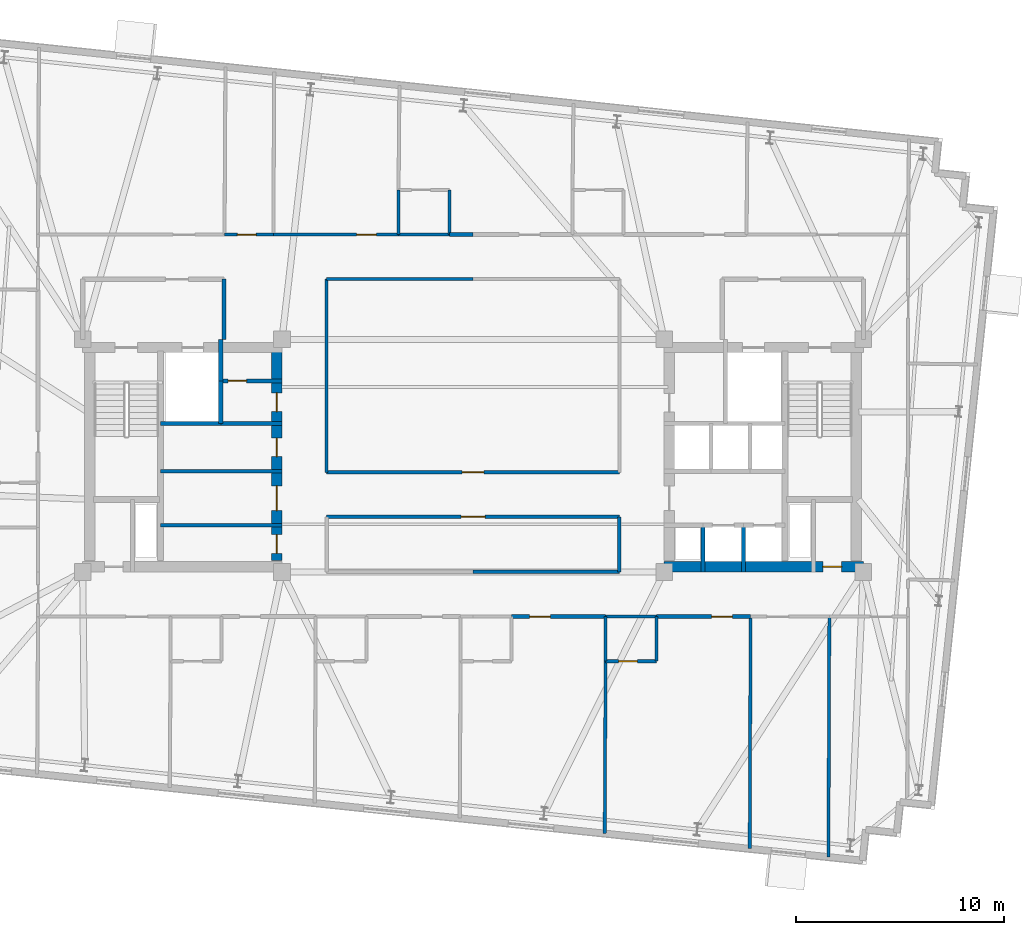
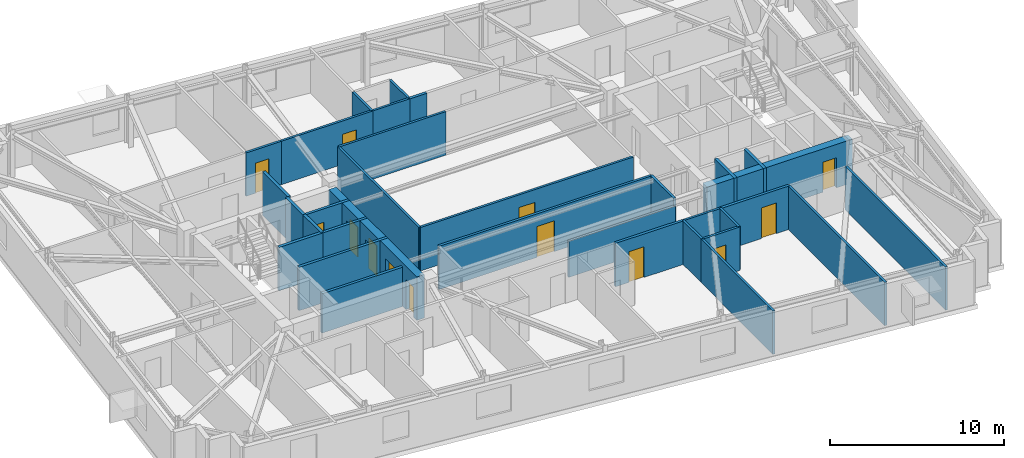
# One storey, part 7 of 11: 33 walls, 13 doors, 13 openings.
"""IFC4 building model written with IfcOpenShell, lengths in metres."""

from ifc_helpers import new_model, si_unit, direction, frame, frame_2d, origin, place, context, subcontext, project, spatial, rectangle, extrude, material, layer, layer_set, type_object, element, fill, save


model = new_model("IFC4")

# Units and contexts
model_context = context("Model", 3, precision=1e-05, world=origin(), true_north=direction((0.0, 1.0)))
body_context = subcontext(model_context, "Body", "Model", "MODEL_VIEW")
ifc_project = project(units=[si_unit("LENGTHUNIT", "METRE"), si_unit("AREAUNIT", "SQUARE_METRE"), si_unit("VOLUMEUNIT", "CUBIC_METRE"), si_unit("PLANEANGLEUNIT", "RADIAN"), si_unit("MASSUNIT", "GRAM", prefix="KILO")], contexts=[model_context])

# Site, building, storey
site_placement = place(None, origin())
site = spatial("IfcSite", under=ifc_project, at=site_placement, CompositionType="ELEMENT")
building_placement = place(site_placement, origin())
building = spatial("IfcBuilding", under=site, at=building_placement, Name="Qobustan Lattice House", CompositionType="ELEMENT")
storey_placement = place(building_placement, frame((0.0, 0.0, 209.800048828125)))
storey = spatial("IfcBuildingStorey", under=building, at=storey_placement, Name="L59", CompositionType="ELEMENT", Elevation=209.800048828125)

# Wall, openings, doors
ifc_material_1 = material(Name="Concrete C50/60", Category="concrete")
ifc_layer_1 = layer(ifc_material_1, 0.5)
ifc_layer_set_1 = layer_set([ifc_layer_1], Name="Concrete C50/60")
wall_type_1 = type_object("IfcWallType", Name="WAL-CORE-500", PredefinedType="SHEAR", material=ifc_layer_set_1)
wall_1_placement = place(storey_placement, frame((-9.449951171875, -5.050048828125, 0.0), z_axis=(0.0, 0.0, 1.0), x_axis=(0.0, 1.0, 0.0)))
wall_1 = element("IfcWall", 1, at=wall_1_placement, inside=storey, type_object=wall_type_1, Name="L59 split-core shear wall CW-E", PredefinedType="SHEAR", context=body_context, shape_type="SweptSolid", body=[
    extrude(rectangle(XDim=10.10009765625, YDim=0.5, at=frame_2d((5.050048828125, 0.0))), origin(), (0.0, 0.0, 1.0), 3.0400390625),
])
opening_1_placement = place(wall_1_placement, frame((7.175048828125, 0.0, 0.0)))
opening_1 = element("IfcOpeningElement", 2, at=opening_1_placement, cuts=wall_1, Name="Opening RD-01", PredefinedType="OPENING", context=body_context, shape_type="SweptSolid", body=[
    extrude(rectangle(XDim=0.89990234375, YDim=2.10009765625, at=frame_2d((0.449951171875, 1.050048828125))), frame((0.0, 0.260009765625, 0.0), z_axis=(0.0, -1.0, 0.0), x_axis=(1.0, 0.0, 0.0)), (0.0, 0.0, 1.0), 0.52001953125),
])
opening_2_placement = place(wall_1_placement, frame((2.39990234375, 0.0, 0.0)))
opening_2 = element("IfcOpeningElement", 3, at=opening_2_placement, cuts=wall_1, Name="Opening FD-01", PredefinedType="OPENING", context=body_context, shape_type="SweptSolid", body=[
    extrude(rectangle(XDim=1.199951171875, YDim=2.14990234375, at=frame_2d((0.60009765625, 1.074951171875))), frame((0.0, 0.260009765625, 0.0), z_axis=(0.0, -1.0, 0.0), x_axis=(1.0, 0.0, 0.0)), (0.0, 0.0, 1.0), 0.52001953125),
])
opening_3_placement = place(wall_1_placement, frame((0.35009765625, 0.0, 0.0)))
opening_3 = element("IfcOpeningElement", 4, at=opening_3_placement, cuts=wall_1, Name="Opening RD-01", PredefinedType="OPENING", context=body_context, shape_type="SweptSolid", body=[
    extrude(rectangle(XDim=0.89990234375, YDim=2.10009765625, at=frame_2d((0.449951171875, 1.050048828125))), frame((0.0, 0.260009765625, 0.0), z_axis=(0.0, -1.0, 0.0), x_axis=(1.0, 0.0, 0.0)), (0.0, 0.0, 1.0), 0.52001953125),
])
opening_4_placement = place(wall_1_placement, frame((5.0, 0.0, 0.0)))
opening_4 = element("IfcOpeningElement", 5, at=opening_4_placement, cuts=wall_1, Name="Opening RD-01", PredefinedType="OPENING", context=body_context, shape_type="SweptSolid", body=[
    extrude(rectangle(XDim=0.89990234375, YDim=2.10009765625, at=frame_2d((0.449951171875, 1.050048828125))), frame((0.0, 0.260009765625, 0.0), z_axis=(0.0, -1.0, 0.0), x_axis=(1.0, 0.0, 0.0)), (0.0, 0.0, 1.0), 0.52001953125),
])
ifc_material_2 = material(Name="Persian walnut timber and steel frame door", Category="steel")
door_type_1 = type_object("IfcDoorType", Name="DOR-LOBBY-FD-1200x2150", OperationType="NOTDEFINED", PredefinedType="DOOR", material=ifc_material_2)
door_1_placement = place(opening_2_placement, origin())
door_1 = element("IfcDoor", 6, at=door_1_placement, inside=storey, type_object=door_type_1, Name="L59 West core foyer fire door", OperationType="SINGLE_SWING_LEFT", OverallHeight=2.14990234375, OverallWidth=1.199951171875, PredefinedType="DOOR", context=body_context, shape_type="SweptSolid", body=[
    extrude(rectangle(XDim=1.199951171875, YDim=2.14990234375, at=frame_2d((0.60009765625, 1.074951171875))), frame((0.0, 0.02490234375, 0.0), z_axis=(0.0, -1.0, 0.0), x_axis=(1.0, 0.0, 0.0)), (0.0, 0.0, 1.0), 0.050048828125),
])
fill(opening_2, door_1)
ifc_material_3 = material(Name="Persian walnut timber and steel frame door", Category="steel")
door_type_2 = type_object("IfcDoorType", Name="DOR-RISER-FD-900x2100", OperationType="NOTDEFINED", PredefinedType="DOOR", material=ifc_material_3)
door_2_placement = place(opening_1_placement, origin())
door_2 = element("IfcDoor", 7, at=door_2_placement, inside=storey, type_object=door_type_2, Name="L59 Core utility lobby fire door", OperationType="SINGLE_SWING_RIGHT", OverallHeight=2.10009765625, OverallWidth=0.89990234375, PredefinedType="DOOR", context=body_context, shape_type="SweptSolid", body=[
    extrude(rectangle(XDim=0.89990234375, YDim=2.10009765625, at=frame_2d((0.449951171875, 1.050048828125))), frame((0.0, 0.02490234375, 0.0), z_axis=(0.0, -1.0, 0.0), x_axis=(1.0, 0.0, 0.0)), (0.0, 0.0, 1.0), 0.050048828125),
])
fill(opening_1, door_2)
door_3_placement = place(opening_3_placement, origin())
door_3 = element("IfcDoor", 8, at=door_3_placement, inside=storey, type_object=door_type_2, Name="L59 Quiet study alcove fire door", OperationType="SINGLE_SWING_RIGHT", OverallHeight=2.10009765625, OverallWidth=0.89990234375, PredefinedType="DOOR", context=body_context, shape_type="SweptSolid", body=[
    extrude(rectangle(XDim=0.89990234375, YDim=2.10009765625, at=frame_2d((0.449951171875, 1.050048828125))), frame((0.0, 0.02490234375, 0.0), z_axis=(0.0, -1.0, 0.0), x_axis=(1.0, 0.0, 0.0)), (0.0, 0.0, 1.0), 0.050048828125),
])
fill(opening_3, door_3)
door_4_placement = place(opening_4_placement, origin())
door_4 = element("IfcDoor", 9, at=door_4_placement, inside=storey, type_object=door_type_2, Name="L59 Resident reading pod fire door", OperationType="SINGLE_SWING_LEFT", OverallHeight=2.10009765625, OverallWidth=0.89990234375, PredefinedType="DOOR", context=body_context, shape_type="SweptSolid", body=[
    extrude(rectangle(XDim=0.89990234375, YDim=2.10009765625, at=frame_2d((0.449951171875, 1.050048828125))), frame((0.0, 0.02490234375, 0.0), z_axis=(0.0, -1.0, 0.0), x_axis=(1.0, 0.0, 0.0)), (0.0, 0.0, 1.0), 0.050048828125),
])
fill(opening_4, door_4)

# Wall, opening, door
wall_2_placement = place(storey_placement, frame((9.199951171875, -5.35009765625, 0.0), z_axis=(0.0, 0.0, 1.0), x_axis=(1.0, 0.0, 0.0)))
wall_2 = element("IfcWall", 10, at=wall_2_placement, inside=storey, type_object=wall_type_1, Name="L59 split-core shear wall CE-S", PredefinedType="SHEAR", context=body_context, shape_type="SweptSolid", body=[
    extrude(rectangle(XDim=9.60009765625, YDim=0.5, at=frame_2d((4.800048828125, 0.0))), origin(), (0.0, 0.0, 1.0), 3.0400390625),
])
opening_5_placement = place(wall_2_placement, frame((7.64990234375, 0.0, 0.0)))
opening_5 = element("IfcOpeningElement", 11, at=opening_5_placement, cuts=wall_2, Name="Opening RD-01", PredefinedType="OPENING", context=body_context, shape_type="SweptSolid", body=[
    extrude(rectangle(XDim=0.89990234375, YDim=2.10009765625, at=frame_2d((0.449951171875, 1.050048828125))), frame((0.0, 0.260009765625, 0.0), z_axis=(0.0, -1.0, 0.0), x_axis=(1.0, 0.0, 0.0)), (0.0, 0.0, 1.0), 0.52001953125),
])
door_5_placement = place(opening_5_placement, origin())
door_5 = element("IfcDoor", 12, at=door_5_placement, inside=storey, type_object=door_type_2, Name="L59 core service riser access door E", OperationType="SINGLE_SWING_LEFT", OverallHeight=2.10009765625, OverallWidth=0.89990234375, PredefinedType="DOOR", context=body_context, shape_type="SweptSolid", body=[
    extrude(rectangle(XDim=0.89990234375, YDim=2.10009765625, at=frame_2d((0.449951171875, 1.050048828125))), frame((0.0, 0.02490234375, 0.0), z_axis=(0.0, -1.0, 0.0), x_axis=(1.0, 0.0, 0.0)), (0.0, 0.0, 1.0), 0.050048828125),
])
fill(opening_5, door_5)

ifc_material_4 = material(Name="Gypsum fireboard acoustic partition", Category="gypsum")
ifc_layer_2 = layer(ifc_material_4, 0.179931640625)
ifc_layer_set_2 = layer_set([ifc_layer_2], Name="Gypsum fireboard acoustic partition")
wall_type_2 = type_object("IfcWallType", Name="WAL-FIRE-180", PredefinedType="PARTITIONING", material=ifc_layer_set_2)
wall_3_placement = place(storey_placement, frame((-9.199951171875, 3.60009765625, 0.0), z_axis=(0.0, 0.0, 1.0), x_axis=(-1.0, 0.0, 0.0)))
wall_3 = element("IfcWall", 13, at=wall_3_placement, inside=storey, type_object=wall_type_2, Name="L59 interior partition 7", PredefinedType="PARTITIONING", context=body_context, shape_type="SweptSolid", body=[
    extrude(rectangle(XDim=2.949951171875, YDim=0.179931640625, at=frame_2d((1.47509765625, 0.0))), origin(), (0.0, 0.0, 1.0), 3.0400390625),
])
opening_6_placement = place(wall_3_placement, frame((1.699951171875, 0.0, 0.0)))
opening_6 = element("IfcOpeningElement", 14, at=opening_6_placement, cuts=wall_3, Name="Opening RD-01", PredefinedType="OPENING", context=body_context, shape_type="SweptSolid", body=[
    extrude(rectangle(XDim=0.89990234375, YDim=2.10009765625, at=frame_2d((0.449951171875, 1.050048828125))), frame((0.0, 0.099853515625, 0.0), z_axis=(0.0, -1.0, 0.0), x_axis=(1.0, 0.0, 0.0)), (0.0, 0.0, 1.0), 0.199951171875),
])
door_6_placement = place(opening_6_placement, origin())
door_6 = element("IfcDoor", 15, at=door_6_placement, inside=storey, type_object=door_type_2, Name="L59 Core utility lobby to Cleaner store door", OperationType="SINGLE_SWING_LEFT", OverallHeight=2.10009765625, OverallWidth=0.89990234375, PredefinedType="DOOR", context=body_context, shape_type="SweptSolid", body=[
    extrude(rectangle(XDim=0.89990234375, YDim=2.10009765625, at=frame_2d((0.449951171875, 1.050048828125))), frame((0.0, 0.02490234375, 0.0), z_axis=(0.0, -1.0, 0.0), x_axis=(1.0, 0.0, 0.0)), (0.0, 0.0, 1.0), 0.050048828125),
])
fill(opening_6, door_6)

# Walls
wall_4_placement = place(storey_placement, frame((-12.14990234375, 1.550048828125, 0.0), z_axis=(0.0, 0.0, 1.0), x_axis=(1.0, 0.0, 0.0)))
element("IfcWall", 16, at=wall_4_placement, inside=storey, type_object=wall_type_2, Name="L59 interior partition 8", PredefinedType="PARTITIONING", context=body_context, shape_type="SweptSolid", body=[
    extrude(rectangle(XDim=2.949951171875, YDim=0.179931640625, at=frame_2d((1.47509765625, 0.0))), origin(), (0.0, 0.0, 1.0), 3.0400390625),
])
wall_5_placement = place(storey_placement, frame((-15.050048828125, -3.35009765625, 0.0), z_axis=(0.0, 0.0, 1.0), x_axis=(1.0, 0.0, 0.0)))
element("IfcWall", 17, at=wall_5_placement, inside=storey, type_object=wall_type_2, Name="L59 interior partition 10", PredefinedType="PARTITIONING", context=body_context, shape_type="SweptSolid", body=[
    extrude(rectangle(XDim=5.85009765625, YDim=0.179931640625, at=frame_2d((2.925048828125, 0.0))), origin(), (0.0, 0.0, 1.0), 2.7548828125),
])
wall_6_placement = place(storey_placement, frame((-9.199951171875, -0.75, 0.0), z_axis=(0.0, 0.0, 1.0), x_axis=(-1.0, 0.0, 0.0)))
element("IfcWall", 18, at=wall_6_placement, inside=storey, type_object=wall_type_2, Name="L59 interior partition 11", PredefinedType="PARTITIONING", context=body_context, shape_type="SweptSolid", body=[
    extrude(rectangle(XDim=5.85009765625, YDim=0.179931640625, at=frame_2d((2.925048828125, 0.0))), origin(), (0.0, 0.0, 1.0), 3.0400390625),
])
wall_7_placement = place(storey_placement, frame((-1.139892578125, 10.64990234375, 0.0), z_axis=(0.0, 0.0, 1.0), x_axis=(1.0, 0.0, 0.0)))
element("IfcWall", 19, at=wall_7_placement, inside=storey, type_object=wall_type_2, Name="L59 interior partition 36", PredefinedType="PARTITIONING", context=body_context, shape_type="SweptSolid", body=[
    extrude(rectangle(XDim=1.139892578125, YDim=0.179931640625, at=frame_2d((0.56982421875, 0.0))), origin(), (0.0, 0.0, 1.0), 3.0400390625),
])

# Wall, opening, door
wall_8_placement = place(storey_placement, frame((6.383056640625, -7.75, 0.0), z_axis=(0.0, 0.0, 1.0), x_axis=(-1.0, 0.0, 0.0)))
wall_8 = element("IfcWall", 20, at=wall_8_placement, inside=storey, type_object=wall_type_2, Name="L59 interior partition 54", PredefinedType="PARTITIONING", context=body_context, shape_type="SweptSolid", body=[
    extrude(rectangle(XDim=4.532958984375, YDim=0.179931640625, at=frame_2d((2.2666015625, 0.0))), origin(), (0.0, 0.0, 1.0), 3.0400390625),
])
opening_7_placement = place(wall_8_placement, frame((2.656494140625, 0.0, 0.0)))
opening_7 = element("IfcOpeningElement", 21, at=opening_7_placement, cuts=wall_8, Name="Opening FD-02", PredefinedType="OPENING", context=body_context, shape_type="SweptSolid", body=[
    extrude(rectangle(XDim=1.0, YDim=2.14990234375, at=frame_2d((0.5, 1.074951171875))), frame((0.0, 0.099853515625, 0.0), z_axis=(0.0, -1.0, 0.0), x_axis=(1.0, 0.0, 0.0)), (0.0, 0.0, 1.0), 0.199951171875),
])
ifc_material_5 = material(Name="Persian walnut timber and steel frame door", Category="steel")
door_type_3 = type_object("IfcDoorType", Name="DOR-UNIT-FD-1000x2150", OperationType="NOTDEFINED", PredefinedType="DOOR", material=ifc_material_5)
door_7_placement = place(opening_7_placement, origin())
door_7 = element("IfcDoor", 22, at=door_7_placement, inside=storey, type_object=door_type_3, Name="L59 South-east floor corridor to Kitchenette and studio apartment L59-S4 door", OperationType="SINGLE_SWING_LEFT", OverallHeight=2.14990234375, OverallWidth=1.0, PredefinedType="DOOR", context=body_context, shape_type="SweptSolid", body=[
    extrude(rectangle(XDim=1.0, YDim=2.14990234375, at=frame_2d((0.5, 1.074951171875))), frame((0.0, 0.02490234375, 0.0), z_axis=(0.0, -1.0, 0.0), x_axis=(1.0, 0.0, 0.0)), (0.0, 0.0, 1.0), 0.050048828125),
])
fill(opening_7, door_7)

wall_9_placement = place(storey_placement, frame((13.366943359375, -7.75, 0.0), z_axis=(0.0, 0.0, 1.0), x_axis=(-1.0, 0.0, 0.0)))
wall_9 = element("IfcWall", 23, at=wall_9_placement, inside=storey, type_object=wall_type_2, Name="L59 interior partition 56", PredefinedType="PARTITIONING", context=body_context, shape_type="SweptSolid", body=[
    extrude(rectangle(XDim=4.533935546875, YDim=0.179931640625, at=frame_2d((2.26708984375, 0.0))), origin(), (0.0, 0.0, 1.0), 3.0400390625),
])
opening_8_placement = place(wall_9_placement, frame((0.876708984375, 0.0, 0.0)))
opening_8 = element("IfcOpeningElement", 24, at=opening_8_placement, cuts=wall_9, Name="Opening FD-02", PredefinedType="OPENING", context=body_context, shape_type="SweptSolid", body=[
    extrude(rectangle(XDim=1.0, YDim=2.14990234375, at=frame_2d((0.5, 1.074951171875))), frame((0.0, 0.099853515625, 0.0), z_axis=(0.0, -1.0, 0.0), x_axis=(1.0, 0.0, 0.0)), (0.0, 0.0, 1.0), 0.199951171875),
])
door_8_placement = place(opening_8_placement, origin())
door_8 = element("IfcDoor", 25, at=door_8_placement, inside=storey, type_object=door_type_3, Name="L59 South-east floor corridor to Kitchenette and studio apartment L59-S5 door", OperationType="SINGLE_SWING_RIGHT", OverallHeight=2.14990234375, OverallWidth=1.0, PredefinedType="DOOR", context=body_context, shape_type="SweptSolid", body=[
    extrude(rectangle(XDim=1.0, YDim=2.14990234375, at=frame_2d((0.5, 1.074951171875))), frame((0.0, 0.02490234375, 0.0), z_axis=(0.0, -1.0, 0.0), x_axis=(1.0, 0.0, 0.0)), (0.0, 0.0, 1.0), 0.050048828125),
])
fill(opening_8, door_8)

ifc_material_6 = material(Name="Acoustic twin-stud gypsum partition", Category="gypsum")
ifc_layer_3 = layer(ifc_material_6, 0.14990234375)
ifc_layer_set_3 = layer_set([ifc_layer_3], Name="Acoustic twin-stud gypsum partition")
wall_type_3 = type_object("IfcWallType", Name="WAL-PART-150", PredefinedType="PARTITIONING", material=ifc_layer_set_3)
wall_10_placement = place(storey_placement, frame((-9.6201171875, 10.64990234375, 0.0), z_axis=(0.0, 0.0, 1.0), x_axis=(1.0, 0.0, 0.0)))
wall_10 = element("IfcWall", 26, at=wall_10_placement, inside=storey, type_object=wall_type_3, Name="L59 interior partition 35", PredefinedType="PARTITIONING", context=body_context, shape_type="SweptSolid", body=[
    extrude(rectangle(XDim=6.030029296875, YDim=0.14990234375, at=frame_2d((3.01513671875, 0.0))), origin(), (0.0, 0.0, 1.0), 3.0400390625),
])
opening_9_placement = place(wall_10_placement, frame((4.010009765625, 0.0, 0.0)))
opening_9 = element("IfcOpeningElement", 27, at=opening_9_placement, cuts=wall_10, Name="Opening ID-01", PredefinedType="OPENING", context=body_context, shape_type="SweptSolid", body=[
    extrude(rectangle(XDim=0.949951171875, YDim=2.10009765625, at=frame_2d((0.47509765625, 1.050048828125))), frame((0.0, 0.0849609375, 0.0), z_axis=(0.0, -1.0, 0.0), x_axis=(1.0, 0.0, 0.0)), (0.0, 0.0, 1.0), 0.169921875),
])
ifc_material_7 = material(Name="Persian walnut timber and steel frame door", Category="steel")
door_type_4 = type_object("IfcDoorType", Name="DOR-ROOM-950x2100", OperationType="NOTDEFINED", PredefinedType="DOOR", material=ifc_material_7)
door_9_placement = place(opening_9_placement, origin())
door_9 = element("IfcDoor", 28, at=door_9_placement, inside=storey, type_object=door_type_4, Name="L59 North-west floor corridor to Laundry utility room door", OperationType="SINGLE_SWING_RIGHT", OverallHeight=2.10009765625, OverallWidth=0.949951171875, PredefinedType="DOOR", context=body_context, shape_type="SweptSolid", body=[
    extrude(rectangle(XDim=0.949951171875, YDim=2.10009765625, at=frame_2d((0.47509765625, 1.050048828125))), frame((0.0, 0.02490234375, 0.0), z_axis=(0.0, -1.0, 0.0), x_axis=(1.0, 0.0, 0.0)), (0.0, 0.0, 1.0), 0.050048828125),
])
fill(opening_9, door_9)

# Wall
wall_11_placement = place(storey_placement, frame((0.0, 8.5, 0.0), z_axis=(0.0, 0.0, 1.0), x_axis=(-1.0, 0.0, 0.0)))
element("IfcWall", 29, at=wall_11_placement, inside=storey, type_object=wall_type_3, Name="L59 interior partition 38", PredefinedType="PARTITIONING", context=body_context, shape_type="SweptSolid", body=[
    extrude(rectangle(XDim=7.050048828125, YDim=0.14990234375, at=frame_2d((3.52490234375, 0.0))), origin(), (0.0, 0.0, 1.0), 3.0400390625),
])

# Wall, opening, door
wall_12_placement = place(storey_placement, frame((-7.050048828125, -0.800048828125, 0.0), z_axis=(0.0, 0.0, 1.0), x_axis=(1.0, 0.0, 0.0)))
wall_12 = element("IfcWall", 30, at=wall_12_placement, inside=storey, type_object=wall_type_3, Name="L59 interior partition 67", PredefinedType="PARTITIONING", context=body_context, shape_type="SweptSolid", body=[
    extrude(rectangle(XDim=14.10009765625, YDim=0.14990234375, at=frame_2d((7.050048828125, 0.0))), origin(), (0.0, 0.0, 1.0), 3.0400390625),
])
opening_10_placement = place(wall_12_placement, frame((6.52490234375, 0.0, 0.0)))
opening_10 = element("IfcOpeningElement", 31, at=opening_10_placement, cuts=wall_12, Name="Opening ID-02", PredefinedType="OPENING", context=body_context, shape_type="SweptSolid", body=[
    extrude(rectangle(XDim=1.050048828125, YDim=2.14990234375, at=frame_2d((0.52490234375, 1.074951171875))), frame((0.0, 0.0849609375, 0.0), z_axis=(0.0, -1.0, 0.0), x_axis=(1.0, 0.0, 0.0)), (0.0, 0.0, 1.0), 0.169921875),
])
ifc_material_8 = material(Name="Persian walnut timber and steel frame door", Category="steel")
door_type_5 = type_object("IfcDoorType", Name="DOR-STUDY-1050x2150", OperationType="NOTDEFINED", PredefinedType="DOOR", material=ifc_material_8)
door_10_placement = place(opening_10_placement, origin())
door_10 = element("IfcDoor", 32, at=door_10_placement, inside=storey, type_object=door_type_5, Name="L59 Central spine corridor to Central study commons door", OperationType="SINGLE_SWING_RIGHT", OverallHeight=2.14990234375, OverallWidth=1.050048828125, PredefinedType="DOOR", context=body_context, shape_type="SweptSolid", body=[
    extrude(rectangle(XDim=1.050048828125, YDim=2.14990234375, at=frame_2d((0.52490234375, 1.074951171875))), frame((0.0, 0.02490234375, 0.0), z_axis=(0.0, -1.0, 0.0), x_axis=(1.0, 0.0, 0.0)), (0.0, 0.0, 1.0), 0.050048828125),
])
fill(opening_10, door_10)

# Walls
wall_13_placement = place(storey_placement, frame((-7.050048828125, 8.5, 0.0), z_axis=(0.0, 0.0, 1.0), x_axis=(0.0, -1.0, 0.0)))
element("IfcWall", 33, at=wall_13_placement, inside=storey, type_object=wall_type_3, Name="L59 interior partition 69", PredefinedType="PARTITIONING", context=body_context, shape_type="SweptSolid", body=[
    extrude(rectangle(XDim=9.300048828125, YDim=0.14990234375, at=frame_2d((4.64990234375, 0.0))), origin(), (0.0, 0.0, 1.0), 3.0400390625),
])
wall_14_placement = place(storey_placement, frame((6.383056640625, -9.89990234375, 0.0), z_axis=(0.0, 0.0, 1.0), x_axis=(-0.005298718667, -0.999985961692, 0.0)))
element("IfcWall", 34, at=wall_14_placement, inside=storey, type_object=wall_type_3, Name="L59 interior partition 109", PredefinedType="PARTITIONING", context=body_context, shape_type="SweptSolid", body=[
    extrude(rectangle(XDim=8.29345703125, YDim=0.14990234375, at=frame_2d((4.146728515625, 0.0))), origin(), (0.0, 0.0, 1.0), 3.0400390625),
])
wall_15_placement = place(storey_placement, frame((13.366943359375, -7.75, 0.0), z_axis=(0.0, 0.0, 1.0), x_axis=(-0.003931559943, -0.999992271388, 0.0)))
element("IfcWall", 35, at=wall_15_placement, inside=storey, type_object=wall_type_3, Name="L59 interior partition 113", PredefinedType="PARTITIONING", context=body_context, shape_type="SweptSolid", body=[
    extrude(rectangle(XDim=11.177490234375, YDim=0.14990234375, at=frame_2d((5.5888671875, 0.0))), origin(), (0.0, 0.0, 1.0), 3.0400390625),
])
wall_16_placement = place(storey_placement, frame((17.158447265625, -7.75, 0.0), z_axis=(0.0, 0.0, 1.0), x_axis=(-0.003796239649, -0.999992794256, 0.0)))
element("IfcWall", 36, at=wall_16_placement, inside=storey, type_object=wall_type_3, Name="L59 interior partition 114", PredefinedType="PARTITIONING", context=body_context, shape_type="SweptSolid", body=[
    extrude(rectangle(XDim=11.575927734375, YDim=0.14990234375, at=frame_2d((5.7880859375, 0.0))), origin(), (0.0, 0.0, 1.0), 3.0400390625),
])
ifc_material_9 = material(Name="High-mass acoustic twin-stud partition", Category="gypsum")
ifc_layer_4 = layer(ifc_material_9, 0.1650390625)
ifc_layer_set_4 = layer_set([ifc_layer_4], Name="High-mass acoustic twin-stud partition")
wall_type_4 = type_object("IfcWallType", Name="WAL-PART-165", PredefinedType="PARTITIONING", material=ifc_layer_set_4)
wall_17_placement = place(storey_placement, frame((0.0, -5.60009765625, 0.0), z_axis=(0.0, 0.0, 1.0), x_axis=(1.0, 0.0, 0.0)))
element("IfcWall", 37, at=wall_17_placement, inside=storey, type_object=wall_type_4, Name="L59 interior partition 60", PredefinedType="PARTITIONING", context=body_context, shape_type="SweptSolid", body=[
    extrude(rectangle(XDim=7.050048828125, YDim=0.1650390625, at=frame_2d((3.52490234375, 0.0))), origin(), (0.0, 0.0, 1.0), 2.52490234375),
])

# Wall, opening, door
wall_18_placement = place(storey_placement, frame((7.050048828125, -2.949951171875, 0.0), z_axis=(0.0, 0.0, 1.0), x_axis=(-1.0, 0.0, 0.0)))
wall_18 = element("IfcWall", 38, at=wall_18_placement, inside=storey, type_object=wall_type_4, Name="L59 interior partition 68", PredefinedType="PARTITIONING", context=body_context, shape_type="SweptSolid", body=[
    extrude(rectangle(XDim=14.10009765625, YDim=0.1650390625, at=frame_2d((7.050048828125, 0.0))), origin(), (0.0, 0.0, 1.0), 3.0400390625),
])
opening_11_placement = place(wall_18_placement, frame((6.47509765625, 0.0, 0.0)))
opening_11 = element("IfcOpeningElement", 39, at=opening_11_placement, cuts=wall_18, Name="Opening ID-03", PredefinedType="OPENING", context=body_context, shape_type="SweptSolid", body=[
    extrude(rectangle(XDim=1.14990234375, YDim=2.14990234375, at=frame_2d((0.574951171875, 1.074951171875))), frame((0.0, 0.092529296875, 0.0), z_axis=(0.0, -1.0, 0.0), x_axis=(1.0, 0.0, 0.0)), (0.0, 0.0, 1.0), 0.18505859375),
])
ifc_material_10 = material(Name="Persian walnut timber and steel frame door", Category="steel")
door_type_6 = type_object("IfcDoorType", Name="DOR-KITCH-1150x2150", OperationType="NOTDEFINED", PredefinedType="DOOR", material=ifc_material_10)
door_11_placement = place(opening_11_placement, origin())
door_11 = element("IfcDoor", 40, at=door_11_placement, inside=storey, type_object=door_type_6, Name="L59 Central spine corridor to Shared kitchen and tea room door", OperationType="SINGLE_SWING_LEFT", OverallHeight=2.14990234375, OverallWidth=1.14990234375, PredefinedType="DOOR", context=body_context, shape_type="SweptSolid", body=[
    extrude(rectangle(XDim=1.14990234375, YDim=2.14990234375, at=frame_2d((0.574951171875, 1.074951171875))), frame((0.0, 0.02490234375, 0.0), z_axis=(0.0, -1.0, 0.0), x_axis=(1.0, 0.0, 0.0)), (0.0, 0.0, 1.0), 0.050048828125),
])
fill(opening_11, door_11)

# Walls
wall_19_placement = place(storey_placement, frame((7.050048828125, -5.60009765625, 0.0), z_axis=(0.0, 0.0, 1.0), x_axis=(0.0, 1.0, 0.0)))
element("IfcWall", 41, at=wall_19_placement, inside=storey, type_object=wall_type_4, Name="L59 interior partition 72", PredefinedType="PARTITIONING", context=body_context, shape_type="SweptSolid", body=[
    extrude(rectangle(XDim=2.650146484375, YDim=0.1650390625, at=frame_2d((1.3251953125, 0.0))), origin(), (0.0, 0.0, 1.0), 3.0400390625),
])
ifc_material_11 = material(Name="Two-hour gypsum fireboard acoustic partition", Category="gypsum")
ifc_layer_5 = layer(ifc_material_11, 0.199951171875)
ifc_layer_set_5 = layer_set([ifc_layer_5], Name="Two-hour gypsum fireboard acoustic partition")
wall_type_5 = type_object("IfcWallType", Name="WAL-PROT-200", PredefinedType="PARTITIONING", material=ifc_layer_set_5)
wall_20_placement = place(storey_placement, frame((-12.0, 5.60009765625, 0.0), z_axis=(0.0, 0.0, 1.0), x_axis=(0.0, 1.0, 0.0)))
element("IfcWall", 42, at=wall_20_placement, inside=storey, type_object=wall_type_5, Name="L59 interior partition 6", PredefinedType="PARTITIONING", context=body_context, shape_type="SweptSolid", body=[
    extrude(rectangle(XDim=2.89990234375, YDim=0.199951171875, at=frame_2d((1.449951171875, 0.0))), origin(), (0.0, 0.0, 1.0), 3.0400390625),
])
ifc_material_12 = material(Name="Concrete C40/50", Category="concrete")
ifc_layer_6 = layer(ifc_material_12, 0.199951171875)
ifc_layer_set_6 = layer_set([ifc_layer_6], Name="Concrete C40/50")
wall_type_6 = type_object("IfcWallType", Name="WAL-SHAFT-200", PredefinedType="PARTITIONING", material=ifc_layer_set_6)
wall_21_placement = place(storey_placement, frame((-12.14990234375, 1.550048828125, 0.0), z_axis=(0.0, 0.0, 1.0), x_axis=(0.0, 1.0, 0.0)))
element("IfcWall", 43, at=wall_21_placement, inside=storey, type_object=wall_type_6, Name="L59 interior partition 2", PredefinedType="PARTITIONING", context=body_context, shape_type="SweptSolid", body=[
    extrude(rectangle(XDim=2.050048828125, YDim=0.199951171875, at=frame_2d((1.02490234375, 0.0))), origin(), (0.0, 0.0, 1.0), 3.0400390625),
])
wall_22_placement = place(storey_placement, frame((-12.14990234375, 3.60009765625, 0.0), z_axis=(0.0, 0.0, 1.0), x_axis=(0.0, 1.0, 0.0)))
element("IfcWall", 44, at=wall_22_placement, inside=storey, type_object=wall_type_6, Name="L59 interior partition 3", PredefinedType="PARTITIONING", context=body_context, shape_type="SweptSolid", body=[
    extrude(rectangle(XDim=2.0, YDim=0.199951171875, at=frame_2d((1.0, 0.0))), origin(), (0.0, 0.0, 1.0), 3.0400390625),
])
for number, where, z_axis, x_axis, name in (
    (45, (11.080078125, -5.60009765625, 0.0), (0.0, 0.0, 1.0), (0.0, 1.0, 0.0), "L59 interior partition 28"),
    (46, (13.02001953125, -5.60009765625, 0.0), (0.0, 0.0, 1.0), (0.0, 1.0, 0.0), "L59 interior partition 29"),
):
    element("IfcWall", number, at=place(storey_placement, frame(where, z_axis=z_axis, x_axis=x_axis)), inside=storey, type_object=wall_type_6, Name=name, PredefinedType="PARTITIONING", context=body_context, shape_type="SweptSolid", body=[
        extrude(rectangle(XDim=2.25, YDim=0.199951171875, at=frame_2d((1.125, 0.0))), origin(), (0.0, 0.0, 1.0), 3.0400390625),
    ])
wall_23_placement = place(storey_placement, frame((-15.050048828125, 1.550048828125, 0.0), z_axis=(0.0, 0.0, 1.0), x_axis=(1.0, 0.0, 0.0)))
element("IfcWall", 47, at=wall_23_placement, inside=storey, type_object=wall_type_6, Name="L59 interior partition 115", PredefinedType="PARTITIONING", context=body_context, shape_type="SweptSolid", body=[
    extrude(rectangle(XDim=2.900146484375, YDim=0.199951171875, at=frame_2d((1.4501953125, 0.0))), origin(), (0.0, 0.0, 1.0), 3.0400390625),
])

# Wall, opening, door
ifc_material_13 = material(Name="Moisture-resistant acoustic plumbing wall", Category="gypsum")
ifc_layer_7 = layer(ifc_material_13, 0.14990234375)
ifc_layer_set_7 = layer_set([ifc_layer_7], Name="Moisture-resistant acoustic plumbing wall")
wall_type_7 = type_object("IfcWallType", Name="WAL-WET-150", PredefinedType="PLUMBINGWALL", material=ifc_layer_set_7)
wall_24_placement = place(storey_placement, frame((-11.969970703125, 10.64990234375, 0.0), z_axis=(0.0, 0.0, 1.0), x_axis=(1.0, 0.0, 0.0)))
wall_24 = element("IfcWall", 48, at=wall_24_placement, inside=storey, type_object=wall_type_7, Name="L59 interior partition 34", PredefinedType="PLUMBINGWALL", context=body_context, shape_type="SweptSolid", body=[
    extrude(rectangle(XDim=2.349853515625, YDim=0.14990234375, at=frame_2d((1.1748046875, 0.0))), origin(), (0.0, 0.0, 1.0), 3.0400390625),
])
opening_12_placement = place(wall_24_placement, frame((0.6162109375, 0.0, 0.0)))
opening_12 = element("IfcOpeningElement", 49, at=opening_12_placement, cuts=wall_24, Name="Opening WD-01", PredefinedType="OPENING", context=body_context, shape_type="SweptSolid", body=[
    extrude(rectangle(XDim=0.89990234375, YDim=2.10009765625, at=frame_2d((0.449951171875, 1.050048828125))), frame((0.0, 0.0849609375, 0.0), z_axis=(0.0, -1.0, 0.0), x_axis=(1.0, 0.0, 0.0)), (0.0, 0.0, 1.0), 0.169921875),
])
ifc_material_14 = material(Name="Persian walnut timber and steel frame door", Category="steel")
door_type_7 = type_object("IfcDoorType", Name="DOR-WET-900x2100", OperationType="NOTDEFINED", PredefinedType="DOOR", material=ifc_material_14)
door_12_placement = place(opening_12_placement, origin())
door_12 = element("IfcDoor", 50, at=door_12_placement, inside=storey, type_object=door_type_7, Name="L59 North-west floor corridor to Accessible WC door", OperationType="SINGLE_SWING_LEFT", OverallHeight=2.10009765625, OverallWidth=0.89990234375, PredefinedType="DOOR", context=body_context, shape_type="SweptSolid", body=[
    extrude(rectangle(XDim=0.89990234375, YDim=2.10009765625, at=frame_2d((0.449951171875, 1.050048828125))), frame((0.0, 0.02490234375, 0.0), z_axis=(0.0, -1.0, 0.0), x_axis=(1.0, 0.0, 0.0)), (0.0, 0.0, 1.0), 0.050048828125),
])
fill(opening_12, door_12)

# Walls
wall_25_placement = place(storey_placement, frame((-3.590087890625, 10.64990234375, 0.0), z_axis=(0.0, 0.0, 1.0), x_axis=(1.0, 0.0, 0.0)))
element("IfcWall", 51, at=wall_25_placement, inside=storey, type_object=wall_type_7, Name="L59 interior partition 37", PredefinedType="PLUMBINGWALL", context=body_context, shape_type="SweptSolid", body=[
    extrude(rectangle(XDim=2.4501953125, YDim=0.14990234375, at=frame_2d((1.22509765625, 0.0))), origin(), (0.0, 0.0, 1.0), 3.0400390625),
])
wall_26_placement = place(storey_placement, frame((8.8330078125, -7.75, 0.0), z_axis=(0.0, 0.0, 1.0), x_axis=(-1.0, 0.0, 0.0)))
element("IfcWall", 52, at=wall_26_placement, inside=storey, type_object=wall_type_7, Name="L59 interior partition 57", PredefinedType="PLUMBINGWALL", context=body_context, shape_type="SweptSolid", body=[
    extrude(rectangle(XDim=2.449951171875, YDim=0.14990234375, at=frame_2d((1.22509765625, 0.0))), origin(), (0.0, 0.0, 1.0), 3.0400390625),
])
for number, where, z_axis, x_axis, name in (
    (53, (-3.590087890625, 12.800048828125, 0.0), (0.0, 0.0, 1.0), (0.0, -1.0, 0.0), "L59 interior partition 89"),
    (54, (-1.139892578125, 10.64990234375, 0.0), (0.0, 0.0, 1.0), (0.0, 1.0, 0.0), "L59 interior partition 91"),
):
    element("IfcWall", number, at=place(storey_placement, frame(where, z_axis=z_axis, x_axis=x_axis)), inside=storey, type_object=wall_type_7, Name=name, PredefinedType="PLUMBINGWALL", context=body_context, shape_type="SweptSolid", body=[
        extrude(rectangle(XDim=2.150146484375, YDim=0.14990234375, at=frame_2d((1.0751953125, 0.0))), origin(), (0.0, 0.0, 1.0), 3.0400390625),
    ])
wall_27_placement = place(storey_placement, frame((6.383056640625, -7.75, 0.0), z_axis=(0.0, 0.0, 1.0), x_axis=(0.0, -1.0, 0.0)))
element("IfcWall", 55, at=wall_27_placement, inside=storey, type_object=wall_type_7, Name="L59 interior partition 110", PredefinedType="PLUMBINGWALL", context=body_context, shape_type="SweptSolid", body=[
    extrude(rectangle(XDim=2.14990234375, YDim=0.14990234375, at=frame_2d((1.074951171875, 0.0))), origin(), (0.0, 0.0, 1.0), 3.0400390625),
])

# Wall, opening, door
wall_28_placement = place(storey_placement, frame((6.383056640625, -9.89990234375, 0.0), z_axis=(0.0, 0.0, 1.0), x_axis=(1.0, 0.0, 0.0)))
wall_28 = element("IfcWall", 56, at=wall_28_placement, inside=storey, type_object=wall_type_7, Name="L59 interior partition 111", PredefinedType="PLUMBINGWALL", context=body_context, shape_type="SweptSolid", body=[
    extrude(rectangle(XDim=2.449951171875, YDim=0.14990234375, at=frame_2d((1.22509765625, 0.0))), origin(), (0.0, 0.0, 1.0), 3.0400390625),
])
opening_13_placement = place(wall_28_placement, frame((0.62890625, 0.0, 0.0)))
opening_13 = element("IfcOpeningElement", 57, at=opening_13_placement, cuts=wall_28, Name="Opening WD-01", PredefinedType="OPENING", context=body_context, shape_type="SweptSolid", body=[
    extrude(rectangle(XDim=0.89990234375, YDim=2.10009765625, at=frame_2d((0.449951171875, 1.050048828125))), frame((0.0, 0.0849609375, 0.0), z_axis=(0.0, -1.0, 0.0), x_axis=(1.0, 0.0, 0.0)), (0.0, 0.0, 1.0), 0.169921875),
])
door_13_placement = place(opening_13_placement, origin())
door_13 = element("IfcDoor", 58, at=door_13_placement, inside=storey, type_object=door_type_7, Name="L59 Kitchenette and studio apartment L59-S5 to En-suite bathroom L59-S5 door", OperationType="SINGLE_SWING_LEFT", OverallHeight=2.10009765625, OverallWidth=0.89990234375, PredefinedType="DOOR", context=body_context, shape_type="SweptSolid", body=[
    extrude(rectangle(XDim=0.89990234375, YDim=2.10009765625, at=frame_2d((0.449951171875, 1.050048828125))), frame((0.0, 0.02490234375, 0.0), z_axis=(0.0, -1.0, 0.0), x_axis=(1.0, 0.0, 0.0)), (0.0, 0.0, 1.0), 0.050048828125),
])
fill(opening_13, door_13)

# Wall
wall_29_placement = place(storey_placement, frame((8.8330078125, -9.89990234375, 0.0), z_axis=(0.0, 0.0, 1.0), x_axis=(0.0, 1.0, 0.0)))
element("IfcWall", 59, at=wall_29_placement, inside=storey, type_object=wall_type_7, Name="L59 interior partition 112", PredefinedType="PLUMBINGWALL", context=body_context, shape_type="SweptSolid", body=[
    extrude(rectangle(XDim=2.14990234375, YDim=0.14990234375, at=frame_2d((1.074951171875, 0.0))), origin(), (0.0, 0.0, 1.0), 3.0400390625),
])

save(model, "model.ifc")
